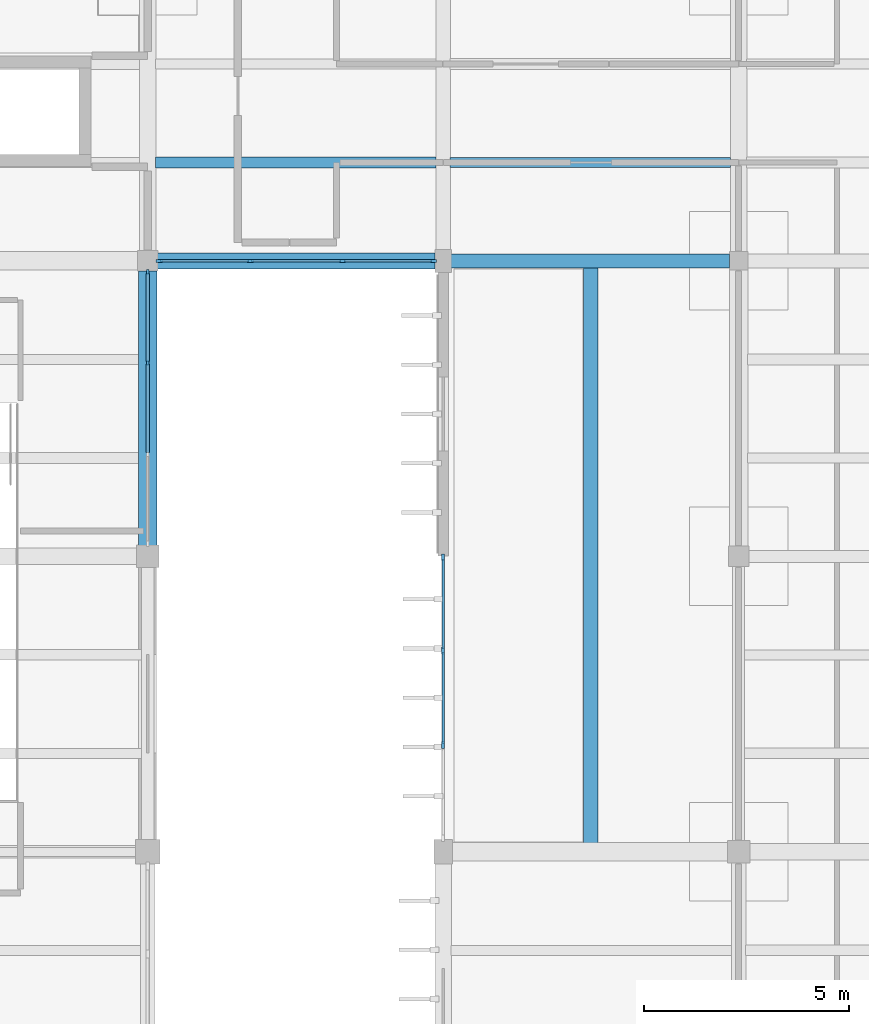
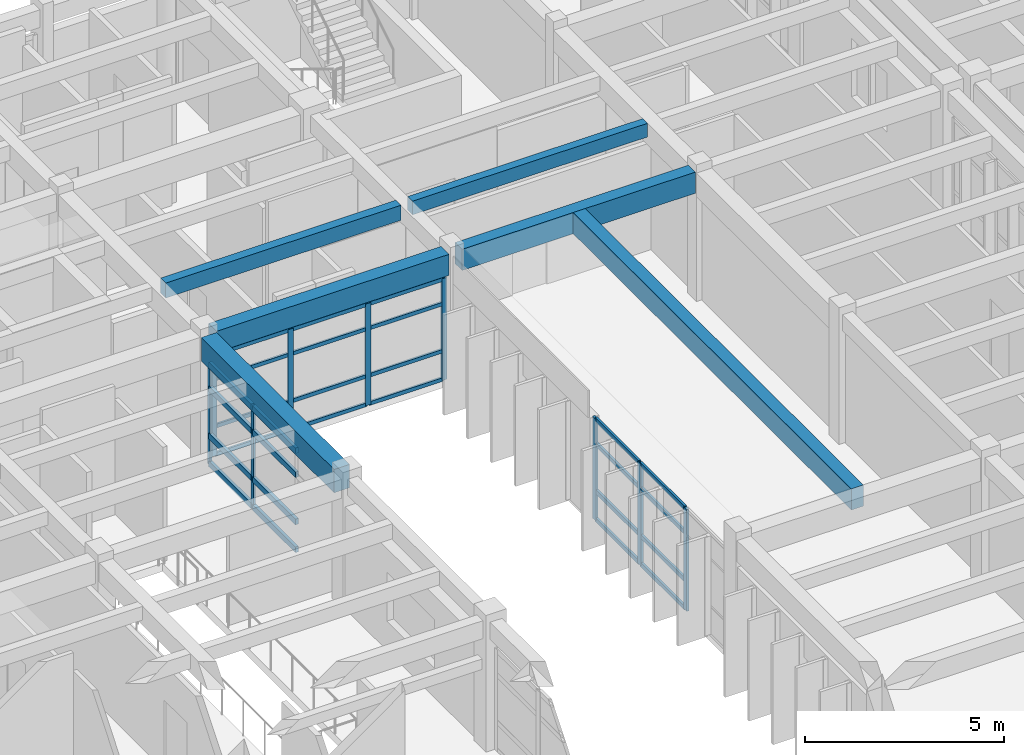
# One storey, part 29 of 100: 37 members, 6 beams, 3 elements without a shape of their own.
"""IFC4 building model written with IfcOpenShell, lengths in metres."""

from ifc_helpers import new_model, si_unit, direction, frame, origin, origin_2d, place, context, subcontext, project, spatial, rectangle, extrude, material, material_profile, profile_set, type_object, element, aggregate, save


model = new_model("IFC4")

# Units and contexts
model_context = context("Model", 3, precision=1e-05, world=origin(), true_north=direction((0.0, 1.0)))
body_context = subcontext(model_context, "Body", "Model", "MODEL_VIEW")
ifc_project = project(units=[si_unit("LENGTHUNIT", "METRE"), si_unit("AREAUNIT", "SQUARE_METRE"), si_unit("VOLUMEUNIT", "CUBIC_METRE"), si_unit("PLANEANGLEUNIT", "RADIAN"), si_unit("MASSUNIT", "GRAM", prefix="KILO")], contexts=[model_context])

# Site, building, storey
site_placement = place(None, origin())
site = spatial("IfcSite", under=ifc_project, at=site_placement, CompositionType="ELEMENT")
building_placement = place(site_placement, origin())
building = spatial("IfcBuilding", under=site, at=building_placement, Name="Steenspoor Specialist Clinic", CompositionType="ELEMENT")
storey_placement = place(building_placement, frame((0.0, 0.0, 9.0)))
storey = spatial("IfcBuildingStorey", under=building, at=storey_placement, Name="L02", CompositionType="ELEMENT", Elevation=9.0)

# Beams
ifc_material_1 = material(Name="Concrete C35/45", Category="concrete")
ifc_material_profile_1 = material_profile(ifc_material_1, rectangle(XDim=0.35009765625, YDim=0.64990234375, at=origin_2d()), Name="RC-BM-350X650")
ifc_profile_set_1 = profile_set([ifc_material_profile_1], Name="Concrete C35/45")
beam_type_1 = type_object("IfcBeamType", Name="BM-RC-350X650", PredefinedType="BEAM", material=ifc_profile_set_1)
beam_1_placement = place(storey_placement, frame((102.9951171875, 93.949951171875, 3.625), z_axis=(1.0, 0.0, 0.0), x_axis=(0.0, 1.0, 0.0)))
element("IfcBeam", 1, at=beam_1_placement, inside=storey, type_object=beam_type_1, Name="BM-V4-L02-X0668", PredefinedType="BEAM", context=body_context, shape_type="SweptSolid", body=[
    extrude(rectangle(XDim=0.35009765625, YDim=0.64990234375, at=origin_2d()), origin(), (0.0, 0.0, 1.0), 6.784912109375),
])
beam_2_placement = place(storey_placement, frame((106.39990234375, 79.77001953125, 3.625), z_axis=(0.0, 1.0, 0.0), x_axis=(-1.0, 0.0, 0.0)))
element("IfcBeam", 2, at=beam_2_placement, inside=storey, type_object=beam_type_1, Name="JT-V4-L02-0794", PredefinedType="BEAM", context=body_context, shape_type="SweptSolid", body=[
    extrude(rectangle(XDim=0.35009765625, YDim=0.64990234375, at=origin_2d()), origin(), (0.0, 0.0, 1.0), 14.010009765625),
])
ifc_material_profile_2 = material_profile(ifc_material_1, rectangle(XDim=0.39990234375, YDim=0.64990234375, at=origin_2d()), Name="RC-BM-400X650")
ifc_profile_set_2 = profile_set([ifc_material_profile_2], Name="Concrete C35/45")
beam_type_2 = type_object("IfcBeamType", Name="BM-RC-400X650", PredefinedType="BEAM", material=ifc_profile_set_2)
beam_3_placement = place(storey_placement, frame((95.844970703125, 93.949951171875, 3.625), z_axis=(1.0, 0.0, 0.0), x_axis=(0.0, 1.0, 0.0)))
element("IfcBeam", 3, at=beam_3_placement, inside=storey, type_object=beam_type_2, Name="BM-V4-L02-X0667", PredefinedType="BEAM", context=body_context, shape_type="SweptSolid", body=[
    extrude(rectangle(XDim=0.39990234375, YDim=0.64990234375, at=origin_2d()), origin(), (0.0, 0.0, 1.0), 6.760009765625),
])
ifc_material_profile_3 = material_profile(ifc_material_1, rectangle(XDim=0.449951171875, YDim=0.719970703125, at=origin_2d()), Name="RC-BM-450X720")
ifc_profile_set_3 = profile_set([ifc_material_profile_3], Name="Concrete C35/45")
beam_type_3 = type_object("IfcBeamType", Name="BM-RC-450X720", PredefinedType="BEAM", material=ifc_profile_set_3)
beam_4_placement = place(storey_placement, frame((95.60009765625, 87.02001953125, 3.590087890625), z_axis=(0.0, 1.0, 0.0), x_axis=(-1.0, 0.0, 0.0)))
element("IfcBeam", 4, at=beam_4_placement, inside=storey, type_object=beam_type_3, Name="BM-V4-L02-Y0718", PredefinedType="BEAM", context=body_context, shape_type="SweptSolid", body=[
    extrude(rectangle(XDim=0.449951171875, YDim=0.719970703125, at=origin_2d()), origin(), (0.0, 0.0, 1.0), 6.68505859375),
])

# Curtain wall, members
ifc_material_2 = material(Name="Thermally broken aluminium and low-emissivity glass", Category="aluminium")
curtain_wall_type_1 = type_object("IfcCurtainWallType", Name="CW-WLK-360X340", PredefinedType="USERDEFINED", material=ifc_material_2)
curtain_wall_1_placement = place(storey_placement, origin())
curtain_wall_1 = element("IfcCurtainWall", 5, at=curtain_wall_1_placement, inside=storey, type_object=curtain_wall_type_1, Name="Unitised Curtain Wall CW-V4-L02-094", ObjectType="UNITISED GLAZING", PredefinedType="USERDEFINED")
ifc_material_3 = material(Name="Thermally broken aluminium 6063-T6", Category="aluminium")
ifc_material_profile_4 = material_profile(ifc_material_3, rectangle(XDim=0.06005859375, YDim=0.135009765625, at=origin_2d()), Name="CWM-60X135")
ifc_profile_set_4 = profile_set([ifc_material_profile_4], Name="Thermally broken aluminium 6063-T6")
member_type_1 = type_object("IfcMemberType", Name="CW-MULL-60X135", PredefinedType="MULLION", material=ifc_profile_set_4)
member_1_placement = place(storey_placement, frame((95.60009765625, 93.669921875, 0.0), z_axis=(0.0, 0.0, 1.0), x_axis=(1.0, 0.0, 0.0)))
member_1 = element("IfcMember", 6, at=member_1_placement, type_object=member_type_1, Name="CW-22 mullion 1", PredefinedType="MULLION", context=body_context, shape_type="SweptSolid", body=[
    extrude(rectangle(XDim=0.06005859375, YDim=0.135009765625, at=origin_2d()), origin(), (0.0, 0.0, 1.0), 3.1298828125),
])
member_2_placement = place(storey_placement, frame((95.60009765625, 91.47509765625, 0.0), z_axis=(0.0, 0.0, 1.0), x_axis=(1.0, 0.0, 0.0)))
member_2 = element("IfcMember", 7, at=member_2_placement, type_object=member_type_1, Name="CW-22 mullion 2", PredefinedType="MULLION", context=body_context, shape_type="SweptSolid", body=[
    extrude(rectangle(XDim=0.06005859375, YDim=0.135009765625, at=origin_2d()), origin(), (0.0, 0.0, 1.0), 3.1298828125),
])

curtain_wall_type_2 = type_object("IfcCurtainWallType", Name="CW-WLK-520X340", PredefinedType="USERDEFINED", material=ifc_material_2)
curtain_wall_2_placement = place(storey_placement, origin())
curtain_wall_2 = element("IfcCurtainWall", 8, at=curtain_wall_2_placement, inside=storey, type_object=curtain_wall_type_2, Name="Unitised Curtain Wall CW-V4-L02-093", ObjectType="UNITISED GLAZING", PredefinedType="USERDEFINED")
ifc_material_profile_5 = material_profile(ifc_material_3, rectangle(XDim=0.06494140625, YDim=0.14990234375, at=origin_2d()), Name="CWM-65X150")
ifc_profile_set_5 = profile_set([ifc_material_profile_5], Name="Thermally broken aluminium 6063-T6")
member_type_2 = type_object("IfcMemberType", Name="CW-MULL-65X150", PredefinedType="MULLION", material=ifc_profile_set_5)
member_3_placement = place(storey_placement, frame((102.5673828125, 93.949951171875, 0.0), z_axis=(0.0, 0.0, 1.0), x_axis=(0.0, -1.0, 0.0)))
member_3 = element("IfcMember", 9, at=member_3_placement, type_object=member_type_2, Name="CW-21 mullion 1", PredefinedType="MULLION", context=body_context, shape_type="SweptSolid", body=[
    extrude(rectangle(XDim=0.06494140625, YDim=0.14990234375, at=origin_2d()), origin(), (0.0, 0.0, 1.0), 3.1298828125),
])
member_4_placement = place(storey_placement, frame((100.35009765625, 93.949951171875, 0.0), z_axis=(0.0, 0.0, 1.0), x_axis=(0.0, -1.0, 0.0)))
member_4 = element("IfcMember", 10, at=member_4_placement, type_object=member_type_2, Name="CW-21 mullion 2", PredefinedType="MULLION", context=body_context, shape_type="SweptSolid", body=[
    extrude(rectangle(XDim=0.06494140625, YDim=0.14990234375, at=origin_2d()), origin(), (0.0, 0.0, 1.0), 3.1298828125),
])
member_5_placement = place(storey_placement, frame((98.10009765625, 93.949951171875, 0.0), z_axis=(0.0, 0.0, 1.0), x_axis=(0.0, -1.0, 0.0)))
member_5 = element("IfcMember", 11, at=member_5_placement, type_object=member_type_2, Name="CW-21 mullion 3", PredefinedType="MULLION", context=body_context, shape_type="SweptSolid", body=[
    extrude(rectangle(XDim=0.06494140625, YDim=0.14990234375, at=origin_2d()), origin(), (0.0, 0.0, 1.0), 3.1298828125),
])
member_6_placement = place(storey_placement, frame((95.882568359375, 93.949951171875, 0.0), z_axis=(0.0, 0.0, 1.0), x_axis=(0.0, -1.0, 0.0)))
member_6 = element("IfcMember", 12, at=member_6_placement, type_object=member_type_2, Name="CW-21 mullion 4", PredefinedType="MULLION", context=body_context, shape_type="SweptSolid", body=[
    extrude(rectangle(XDim=0.06494140625, YDim=0.14990234375, at=origin_2d()), origin(), (0.0, 0.0, 1.0), 3.1298828125),
])

curtain_wall_type_3 = type_object("IfcCurtainWallType", Name="CW-WLK-640X340", PredefinedType="USERDEFINED", material=ifc_material_2)
curtain_wall_3_placement = place(storey_placement, origin())
curtain_wall_3 = element("IfcCurtainWall", 13, at=curtain_wall_3_placement, inside=storey, type_object=curtain_wall_type_3, Name="Unitised Curtain Wall CW-V4-L02-092", ObjectType="UNITISED GLAZING", PredefinedType="USERDEFINED")
ifc_material_profile_6 = material_profile(ifc_material_3, rectangle(XDim=0.070068359375, YDim=0.1650390625, at=origin_2d()), Name="CWM-70X165")
ifc_profile_set_6 = profile_set([ifc_material_profile_6], Name="Thermally broken aluminium 6063-T6")
member_type_3 = type_object("IfcMemberType", Name="CW-MULL-70X165", PredefinedType="MULLION", material=ifc_profile_set_6)
member_7_placement = place(storey_placement, frame((102.800048828125, 82.154052734375, 0.0), z_axis=(0.0, 0.0, 1.0), x_axis=(-1.0, 0.0, 0.0)))
member_7 = element("IfcMember", 14, at=member_7_placement, type_object=member_type_3, Name="CW-20 mullion 2", PredefinedType="MULLION", context=body_context, shape_type="SweptSolid", body=[
    extrude(rectangle(XDim=0.070068359375, YDim=0.1650390625, at=origin_2d()), origin(), (0.0, 0.0, 1.0), 3.1298828125),
])
member_8_placement = place(storey_placement, frame((102.800048828125, 84.458251953125, 0.0), z_axis=(0.0, 0.0, 1.0), x_axis=(-1.0, 0.0, 0.0)))
member_8 = element("IfcMember", 15, at=member_8_placement, type_object=member_type_3, Name="CW-20 mullion 3", PredefinedType="MULLION", context=body_context, shape_type="SweptSolid", body=[
    extrude(rectangle(XDim=0.070068359375, YDim=0.1650390625, at=origin_2d()), origin(), (0.0, 0.0, 1.0), 3.1298828125),
])
member_9_placement = place(storey_placement, frame((102.800048828125, 86.7275390625, 0.0), z_axis=(0.0, 0.0, 1.0), x_axis=(-1.0, 0.0, 0.0)))
member_9 = element("IfcMember", 16, at=member_9_placement, type_object=member_type_3, Name="CW-20 mullion 4", PredefinedType="MULLION", context=body_context, shape_type="SweptSolid", body=[
    extrude(rectangle(XDim=0.070068359375, YDim=0.1650390625, at=origin_2d()), origin(), (0.0, 0.0, 1.0), 3.1298828125),
])

# Member
ifc_material_profile_7 = material_profile(ifc_material_3, rectangle(XDim=0.06005859375, YDim=0.114990234375, at=origin_2d()), Name="CWT-60X115")
ifc_profile_set_7 = profile_set([ifc_material_profile_7], Name="Thermally broken aluminium 6063-T6")
member_type_4 = type_object("IfcMemberType", Name="CW-TRAN-60X115", PredefinedType="USERDEFINED", material=ifc_profile_set_7)
member_10_placement = place(storey_placement, frame((102.534912109375, 93.949951171875, 0.030029296875), z_axis=(-1.0, 0.0, 0.0), x_axis=(0.0, -1.0, 0.0)))
member_10 = element("IfcMember", 17, at=member_10_placement, type_object=member_type_4, Name="CW-21 transom 1.1", ObjectType="TRANSOM", PredefinedType="USERDEFINED", context=body_context, shape_type="SweptSolid", body=[
    extrude(rectangle(XDim=0.06005859375, YDim=0.114990234375, at=origin_2d()), origin(), (0.0, 0.0, 1.0), 2.15234375),
])

member_11_placement = place(storey_placement, frame((102.534912109375, 93.949951171875, 0.89990234375), z_axis=(-1.0, 0.0, 0.0), x_axis=(0.0, -1.0, 0.0)))
member_11 = element("IfcMember", 18, at=member_11_placement, type_object=member_type_4, Name="CW-21 transom 1.2", ObjectType="TRANSOM", PredefinedType="USERDEFINED", context=body_context, shape_type="SweptSolid", body=[
    extrude(rectangle(XDim=0.06005859375, YDim=0.114990234375, at=origin_2d()), origin(), (0.0, 0.0, 1.0), 2.15234375),
])

member_12_placement = place(storey_placement, frame((102.534912109375, 93.949951171875, 2.35009765625), z_axis=(-1.0, 0.0, 0.0), x_axis=(0.0, -1.0, 0.0)))
member_12 = element("IfcMember", 19, at=member_12_placement, type_object=member_type_4, Name="CW-21 transom 1.3", ObjectType="TRANSOM", PredefinedType="USERDEFINED", context=body_context, shape_type="SweptSolid", body=[
    extrude(rectangle(XDim=0.06005859375, YDim=0.114990234375, at=origin_2d()), origin(), (0.0, 0.0, 1.0), 2.15234375),
])

member_13_placement = place(storey_placement, frame((102.534912109375, 93.949951171875, 3.10009765625), z_axis=(-1.0, 0.0, 0.0), x_axis=(0.0, -1.0, 0.0)))
member_13 = element("IfcMember", 20, at=member_13_placement, type_object=member_type_4, Name="CW-21 transom 1.4", ObjectType="TRANSOM", PredefinedType="USERDEFINED", context=body_context, shape_type="SweptSolid", body=[
    extrude(rectangle(XDim=0.06005859375, YDim=0.114990234375, at=origin_2d()), origin(), (0.0, 0.0, 1.0), 2.15234375),
])

member_14_placement = place(storey_placement, frame((100.3173828125, 93.949951171875, 0.030029296875), z_axis=(-1.0, 0.0, 0.0), x_axis=(0.0, -1.0, 0.0)))
member_14 = element("IfcMember", 21, at=member_14_placement, type_object=member_type_4, Name="CW-21 transom 2.1", ObjectType="TRANSOM", PredefinedType="USERDEFINED", context=body_context, shape_type="SweptSolid", body=[
    extrude(rectangle(XDim=0.06005859375, YDim=0.114990234375, at=origin_2d()), origin(), (0.0, 0.0, 1.0), 2.184814453125),
])

member_15_placement = place(storey_placement, frame((100.3173828125, 93.949951171875, 0.89990234375), z_axis=(-1.0, 0.0, 0.0), x_axis=(0.0, -1.0, 0.0)))
member_15 = element("IfcMember", 22, at=member_15_placement, type_object=member_type_4, Name="CW-21 transom 2.2", ObjectType="TRANSOM", PredefinedType="USERDEFINED", context=body_context, shape_type="SweptSolid", body=[
    extrude(rectangle(XDim=0.06005859375, YDim=0.114990234375, at=origin_2d()), origin(), (0.0, 0.0, 1.0), 2.184814453125),
])

member_16_placement = place(storey_placement, frame((100.3173828125, 93.949951171875, 2.35009765625), z_axis=(-1.0, 0.0, 0.0), x_axis=(0.0, -1.0, 0.0)))
member_16 = element("IfcMember", 23, at=member_16_placement, type_object=member_type_4, Name="CW-21 transom 2.3", ObjectType="TRANSOM", PredefinedType="USERDEFINED", context=body_context, shape_type="SweptSolid", body=[
    extrude(rectangle(XDim=0.06005859375, YDim=0.114990234375, at=origin_2d()), origin(), (0.0, 0.0, 1.0), 2.184814453125),
])

member_17_placement = place(storey_placement, frame((100.3173828125, 93.949951171875, 3.10009765625), z_axis=(-1.0, 0.0, 0.0), x_axis=(0.0, -1.0, 0.0)))
member_17 = element("IfcMember", 24, at=member_17_placement, type_object=member_type_4, Name="CW-21 transom 2.4", ObjectType="TRANSOM", PredefinedType="USERDEFINED", context=body_context, shape_type="SweptSolid", body=[
    extrude(rectangle(XDim=0.06005859375, YDim=0.114990234375, at=origin_2d()), origin(), (0.0, 0.0, 1.0), 2.184814453125),
])

member_18_placement = place(storey_placement, frame((98.0673828125, 93.949951171875, 0.030029296875), z_axis=(-1.0, 0.0, 0.0), x_axis=(0.0, -1.0, 0.0)))
member_18 = element("IfcMember", 25, at=member_18_placement, type_object=member_type_4, Name="CW-21 transom 3.1", ObjectType="TRANSOM", PredefinedType="USERDEFINED", context=body_context, shape_type="SweptSolid", body=[
    extrude(rectangle(XDim=0.06005859375, YDim=0.114990234375, at=origin_2d()), origin(), (0.0, 0.0, 1.0), 2.15234375),
])

member_19_placement = place(storey_placement, frame((98.0673828125, 93.949951171875, 0.89990234375), z_axis=(-1.0, 0.0, 0.0), x_axis=(0.0, -1.0, 0.0)))
member_19 = element("IfcMember", 26, at=member_19_placement, type_object=member_type_4, Name="CW-21 transom 3.2", ObjectType="TRANSOM", PredefinedType="USERDEFINED", context=body_context, shape_type="SweptSolid", body=[
    extrude(rectangle(XDim=0.06005859375, YDim=0.114990234375, at=origin_2d()), origin(), (0.0, 0.0, 1.0), 2.15234375),
])

member_20_placement = place(storey_placement, frame((98.0673828125, 93.949951171875, 2.35009765625), z_axis=(-1.0, 0.0, 0.0), x_axis=(0.0, -1.0, 0.0)))
member_20 = element("IfcMember", 27, at=member_20_placement, type_object=member_type_4, Name="CW-21 transom 3.3", ObjectType="TRANSOM", PredefinedType="USERDEFINED", context=body_context, shape_type="SweptSolid", body=[
    extrude(rectangle(XDim=0.06005859375, YDim=0.114990234375, at=origin_2d()), origin(), (0.0, 0.0, 1.0), 2.15234375),
])

member_21_placement = place(storey_placement, frame((98.0673828125, 93.949951171875, 3.10009765625), z_axis=(-1.0, 0.0, 0.0), x_axis=(0.0, -1.0, 0.0)))
member_21 = element("IfcMember", 28, at=member_21_placement, type_object=member_type_4, Name="CW-21 transom 3.4", ObjectType="TRANSOM", PredefinedType="USERDEFINED", context=body_context, shape_type="SweptSolid", body=[
    extrude(rectangle(XDim=0.06005859375, YDim=0.114990234375, at=origin_2d()), origin(), (0.0, 0.0, 1.0), 2.15234375),
])

aggregate(curtain_wall_2, [member_3, member_4, member_5, member_6, member_10, member_11, member_12, member_13, member_14, member_15, member_16, member_17, member_18, member_19, member_20, member_21])

ifc_material_profile_8 = material_profile(ifc_material_3, rectangle(XDim=0.06494140625, YDim=0.1298828125, at=origin_2d()), Name="CWT-65X130")
ifc_profile_set_8 = profile_set([ifc_material_profile_8], Name="Thermally broken aluminium 6063-T6")
member_type_5 = type_object("IfcMemberType", Name="CW-TRAN-65X130", PredefinedType="USERDEFINED", material=ifc_profile_set_8)
member_22_placement = place(storey_placement, frame((102.800048828125, 82.189208984375, 0.032470703125), z_axis=(0.0, 1.0, 0.0), x_axis=(-1.0, 0.0, 0.0)))
member_22 = element("IfcMember", 29, at=member_22_placement, type_object=member_type_5, Name="CW-20 transom 2.1", ObjectType="TRANSOM", PredefinedType="USERDEFINED", context=body_context, shape_type="SweptSolid", body=[
    extrude(rectangle(XDim=0.06494140625, YDim=0.1298828125, at=origin_2d()), origin(), (0.0, 0.0, 1.0), 2.234130859375),
])

member_23_placement = place(storey_placement, frame((102.800048828125, 82.189208984375, 0.89990234375), z_axis=(0.0, 1.0, 0.0), x_axis=(-1.0, 0.0, 0.0)))
member_23 = element("IfcMember", 30, at=member_23_placement, type_object=member_type_5, Name="CW-20 transom 2.2", ObjectType="TRANSOM", PredefinedType="USERDEFINED", context=body_context, shape_type="SweptSolid", body=[
    extrude(rectangle(XDim=0.06494140625, YDim=0.1298828125, at=origin_2d()), origin(), (0.0, 0.0, 1.0), 2.234130859375),
])

member_24_placement = place(storey_placement, frame((102.800048828125, 82.189208984375, 2.35009765625), z_axis=(0.0, 1.0, 0.0), x_axis=(-1.0, 0.0, 0.0)))
member_24 = element("IfcMember", 31, at=member_24_placement, type_object=member_type_5, Name="CW-20 transom 2.3", ObjectType="TRANSOM", PredefinedType="USERDEFINED", context=body_context, shape_type="SweptSolid", body=[
    extrude(rectangle(XDim=0.06494140625, YDim=0.1298828125, at=origin_2d()), origin(), (0.0, 0.0, 1.0), 2.234130859375),
])

member_25_placement = place(storey_placement, frame((102.800048828125, 82.189208984375, 3.097412109375), z_axis=(0.0, 1.0, 0.0), x_axis=(-1.0, 0.0, 0.0)))
member_25 = element("IfcMember", 32, at=member_25_placement, type_object=member_type_5, Name="CW-20 transom 2.4", ObjectType="TRANSOM", PredefinedType="USERDEFINED", context=body_context, shape_type="SweptSolid", body=[
    extrude(rectangle(XDim=0.06494140625, YDim=0.1298828125, at=origin_2d()), origin(), (0.0, 0.0, 1.0), 2.234130859375),
])

member_26_placement = place(storey_placement, frame((102.800048828125, 84.493408203125, 0.032470703125), z_axis=(0.0, 1.0, 0.0), x_axis=(-1.0, 0.0, 0.0)))
member_26 = element("IfcMember", 33, at=member_26_placement, type_object=member_type_5, Name="CW-20 transom 3.1", ObjectType="TRANSOM", PredefinedType="USERDEFINED", context=body_context, shape_type="SweptSolid", body=[
    extrude(rectangle(XDim=0.06494140625, YDim=0.1298828125, at=origin_2d()), origin(), (0.0, 0.0, 1.0), 2.198974609375),
])

member_27_placement = place(storey_placement, frame((102.800048828125, 84.493408203125, 0.89990234375), z_axis=(0.0, 1.0, 0.0), x_axis=(-1.0, 0.0, 0.0)))
member_27 = element("IfcMember", 34, at=member_27_placement, type_object=member_type_5, Name="CW-20 transom 3.2", ObjectType="TRANSOM", PredefinedType="USERDEFINED", context=body_context, shape_type="SweptSolid", body=[
    extrude(rectangle(XDim=0.06494140625, YDim=0.1298828125, at=origin_2d()), origin(), (0.0, 0.0, 1.0), 2.198974609375),
])

member_28_placement = place(storey_placement, frame((102.800048828125, 84.493408203125, 2.35009765625), z_axis=(0.0, 1.0, 0.0), x_axis=(-1.0, 0.0, 0.0)))
member_28 = element("IfcMember", 35, at=member_28_placement, type_object=member_type_5, Name="CW-20 transom 3.3", ObjectType="TRANSOM", PredefinedType="USERDEFINED", context=body_context, shape_type="SweptSolid", body=[
    extrude(rectangle(XDim=0.06494140625, YDim=0.1298828125, at=origin_2d()), origin(), (0.0, 0.0, 1.0), 2.198974609375),
])

member_29_placement = place(storey_placement, frame((102.800048828125, 84.493408203125, 3.097412109375), z_axis=(0.0, 1.0, 0.0), x_axis=(-1.0, 0.0, 0.0)))
member_29 = element("IfcMember", 36, at=member_29_placement, type_object=member_type_5, Name="CW-20 transom 3.4", ObjectType="TRANSOM", PredefinedType="USERDEFINED", context=body_context, shape_type="SweptSolid", body=[
    extrude(rectangle(XDim=0.06494140625, YDim=0.1298828125, at=origin_2d()), origin(), (0.0, 0.0, 1.0), 2.198974609375),
])

aggregate(curtain_wall_3, [member_7, member_8, member_9, member_22, member_23, member_24, member_25, member_26, member_27, member_28, member_29])

ifc_material_profile_9 = material_profile(ifc_material_3, rectangle(XDim=0.090087890625, YDim=0.175048828125, at=origin_2d()), Name="CWT-90X175")
ifc_profile_set_9 = profile_set([ifc_material_profile_9], Name="Thermally broken aluminium 6063-T6")
member_type_6 = type_object("IfcMemberType", Name="CW-TRAN-90X175", PredefinedType="USERDEFINED", material=ifc_profile_set_9)
member_30_placement = place(storey_placement, frame((95.60009765625, 93.639892578125, 0.044921875), z_axis=(0.0, -1.0, 0.0), x_axis=(1.0, 0.0, 0.0)))
member_30 = element("IfcMember", 37, at=member_30_placement, type_object=member_type_6, Name="CW-22 transom 1.1", ObjectType="TRANSOM", PredefinedType="USERDEFINED", context=body_context, shape_type="SweptSolid", body=[
    extrude(rectangle(XDim=0.090087890625, YDim=0.175048828125, at=origin_2d()), origin(), (0.0, 0.0, 1.0), 2.135009765625),
])

member_31_placement = place(storey_placement, frame((95.60009765625, 93.639892578125, 0.89990234375), z_axis=(0.0, -1.0, 0.0), x_axis=(1.0, 0.0, 0.0)))
member_31 = element("IfcMember", 38, at=member_31_placement, type_object=member_type_6, Name="CW-22 transom 1.2", ObjectType="TRANSOM", PredefinedType="USERDEFINED", context=body_context, shape_type="SweptSolid", body=[
    extrude(rectangle(XDim=0.090087890625, YDim=0.175048828125, at=origin_2d()), origin(), (0.0, 0.0, 1.0), 2.135009765625),
])

member_32_placement = place(storey_placement, frame((95.60009765625, 93.639892578125, 2.35009765625), z_axis=(0.0, -1.0, 0.0), x_axis=(1.0, 0.0, 0.0)))
member_32 = element("IfcMember", 39, at=member_32_placement, type_object=member_type_6, Name="CW-22 transom 1.3", ObjectType="TRANSOM", PredefinedType="USERDEFINED", context=body_context, shape_type="SweptSolid", body=[
    extrude(rectangle(XDim=0.090087890625, YDim=0.175048828125, at=origin_2d()), origin(), (0.0, 0.0, 1.0), 2.135009765625),
])

member_33_placement = place(storey_placement, frame((95.60009765625, 93.639892578125, 3.0849609375), z_axis=(0.0, -1.0, 0.0), x_axis=(1.0, 0.0, 0.0)))
member_33 = element("IfcMember", 40, at=member_33_placement, type_object=member_type_6, Name="CW-22 transom 1.4", ObjectType="TRANSOM", PredefinedType="USERDEFINED", context=body_context, shape_type="SweptSolid", body=[
    extrude(rectangle(XDim=0.090087890625, YDim=0.175048828125, at=origin_2d()), origin(), (0.0, 0.0, 1.0), 2.135009765625),
])

member_34_placement = place(storey_placement, frame((95.60009765625, 91.445068359375, 0.044921875), z_axis=(0.0, -1.0, 0.0), x_axis=(1.0, 0.0, 0.0)))
member_34 = element("IfcMember", 41, at=member_34_placement, type_object=member_type_6, Name="CW-22 transom 2.1", ObjectType="TRANSOM", PredefinedType="USERDEFINED", context=body_context, shape_type="SweptSolid", body=[
    extrude(rectangle(XDim=0.090087890625, YDim=0.175048828125, at=origin_2d()), origin(), (0.0, 0.0, 1.0), 2.1650390625),
])

member_35_placement = place(storey_placement, frame((95.60009765625, 91.445068359375, 0.89990234375), z_axis=(0.0, -1.0, 0.0), x_axis=(1.0, 0.0, 0.0)))
member_35 = element("IfcMember", 42, at=member_35_placement, type_object=member_type_6, Name="CW-22 transom 2.2", ObjectType="TRANSOM", PredefinedType="USERDEFINED", context=body_context, shape_type="SweptSolid", body=[
    extrude(rectangle(XDim=0.090087890625, YDim=0.175048828125, at=origin_2d()), origin(), (0.0, 0.0, 1.0), 2.1650390625),
])

member_36_placement = place(storey_placement, frame((95.60009765625, 91.445068359375, 2.35009765625), z_axis=(0.0, -1.0, 0.0), x_axis=(1.0, 0.0, 0.0)))
member_36 = element("IfcMember", 43, at=member_36_placement, type_object=member_type_6, Name="CW-22 transom 2.3", ObjectType="TRANSOM", PredefinedType="USERDEFINED", context=body_context, shape_type="SweptSolid", body=[
    extrude(rectangle(XDim=0.090087890625, YDim=0.175048828125, at=origin_2d()), origin(), (0.0, 0.0, 1.0), 2.1650390625),
])

member_37_placement = place(storey_placement, frame((95.60009765625, 91.445068359375, 3.0849609375), z_axis=(0.0, -1.0, 0.0), x_axis=(1.0, 0.0, 0.0)))
member_37 = element("IfcMember", 44, at=member_37_placement, type_object=member_type_6, Name="CW-22 transom 2.4", ObjectType="TRANSOM", PredefinedType="USERDEFINED", context=body_context, shape_type="SweptSolid", body=[
    extrude(rectangle(XDim=0.090087890625, YDim=0.175048828125, at=origin_2d()), origin(), (0.0, 0.0, 1.0), 2.1650390625),
])

aggregate(curtain_wall_1, [member_1, member_2, member_30, member_31, member_32, member_33, member_34, member_35, member_36, member_37])

# Beams
ifc_material_profile_10 = material_profile(ifc_material_1, rectangle(XDim=0.239990234375, YDim=0.419921875, at=origin_2d()), Name="RC-JT-240X420")
ifc_profile_set_10 = profile_set([ifc_material_profile_10], Name="Concrete C35/45")
beam_type_4 = type_object("IfcBeamType", Name="JT-RC-240X420", PredefinedType="JOIST", material=ifc_profile_set_10)
beam_5_placement = place(storey_placement, frame((102.969970703125, 96.35009765625, 3.739990234375), z_axis=(1.0, 0.0, 0.0), x_axis=(0.0, 1.0, 0.0)))
element("IfcBeam", 45, at=beam_5_placement, inside=storey, type_object=beam_type_4, Name="JT-V4-L02-0795", PredefinedType="JOIST", context=body_context, shape_type="SweptSolid", body=[
    extrude(rectangle(XDim=0.239990234375, YDim=0.419921875, at=origin_2d()), origin(), (0.0, 0.0, 1.0), 6.8349609375),
])
ifc_material_profile_11 = material_profile(ifc_material_1, rectangle(XDim=0.260009765625, YDim=0.4599609375, at=origin_2d()), Name="RC-JT-260X460")
ifc_profile_set_11 = profile_set([ifc_material_profile_11], Name="Concrete C35/45")
beam_type_5 = type_object("IfcBeamType", Name="JT-RC-260X460", PredefinedType="JOIST", material=ifc_profile_set_11)
beam_6_placement = place(storey_placement, frame((95.794921875, 96.35009765625, 3.719970703125), z_axis=(1.0, 0.0, 0.0), x_axis=(0.0, 1.0, 0.0)))
element("IfcBeam", 46, at=beam_6_placement, inside=storey, type_object=beam_type_5, Name="JT-V4-L02-0786", PredefinedType="JOIST", context=body_context, shape_type="SweptSolid", body=[
    extrude(rectangle(XDim=0.260009765625, YDim=0.4599609375, at=origin_2d()), origin(), (0.0, 0.0, 1.0), 6.8349609375),
])

save(model, "model.ifc")
